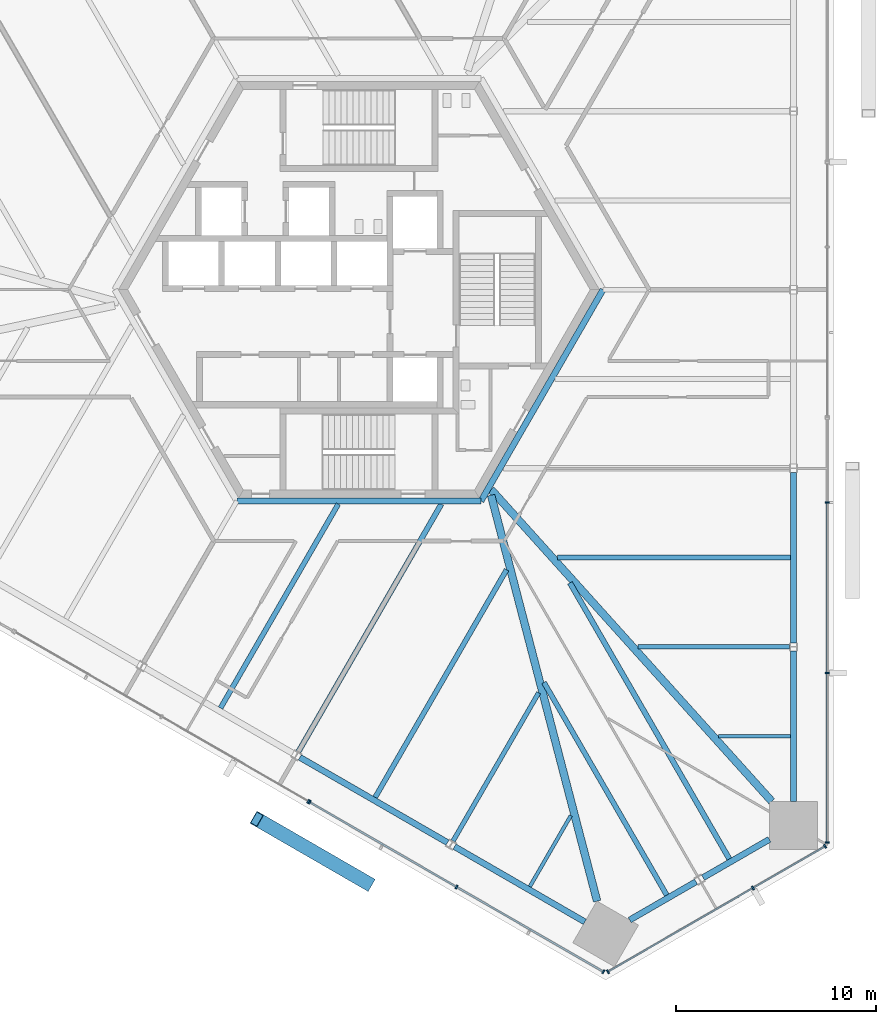
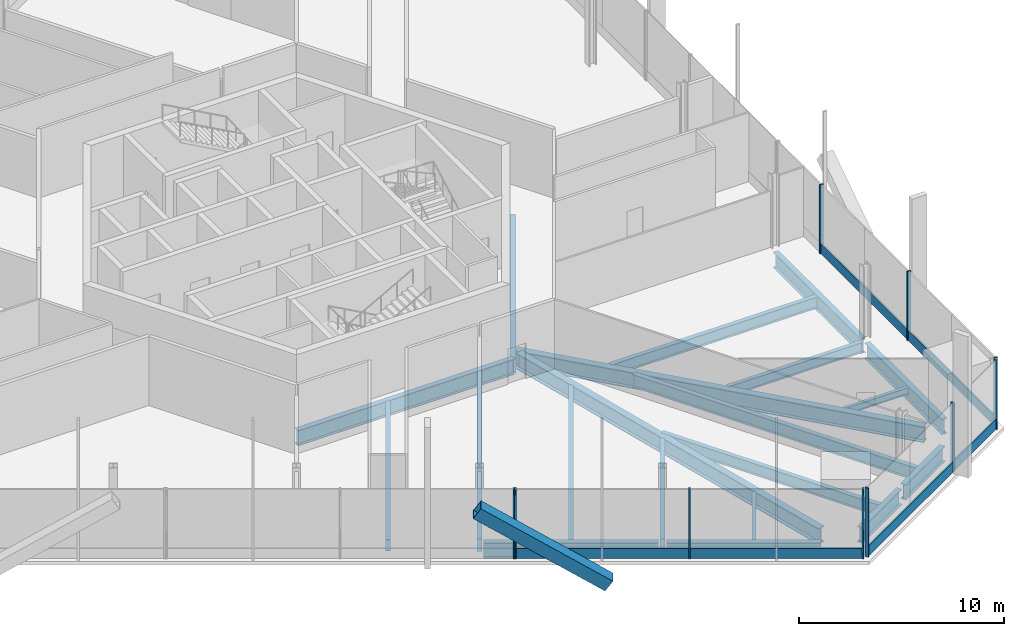
# One storey, part 4 of 19: 20 beams, 17 members, 4 elements without a shape of their own.
"""IFC4 building model written with IfcOpenShell, lengths in metres."""

from ifc_helpers import new_model, si_unit, direction, frame, origin, origin_2d, place, context, subcontext, project, spatial, rectangle, hollow_rectangle, i_section, extrude, source, transform, mapped, material, material_profile, profile_set, type_object, element, aggregate, save


model = new_model("IFC4")

# Units and contexts
model_context = context("Model", 3, precision=1e-05, world=origin(), true_north=direction((0.0, 1.0)))
body_context = subcontext(model_context, "Body", "Model", "MODEL_VIEW")
ifc_project = project(units=[si_unit("LENGTHUNIT", "METRE"), si_unit("AREAUNIT", "SQUARE_METRE"), si_unit("VOLUMEUNIT", "CUBIC_METRE"), si_unit("PLANEANGLEUNIT", "RADIAN"), si_unit("MASSUNIT", "GRAM", prefix="KILO")], contexts=[model_context])

# Site, building, storey
site_placement = place(None, origin())
site = spatial("IfcSite", under=ifc_project, at=site_placement, CompositionType="ELEMENT")
building_placement = place(site_placement, origin())
building = spatial("IfcBuilding", under=site, at=building_placement, Name="Triune Harvest Tower", CompositionType="ELEMENT")
storey_placement = place(building_placement, frame((0.0, 0.0, 24.60009765625)))
storey = spatial("IfcBuildingStorey", under=building, at=storey_placement, Name="L05", CompositionType="ELEMENT", Elevation=24.60009765625)

# Beams
ifc_material_1 = material(Name="Steel ASTM A992 Gr 50", Category="steel")
ifc_material_profile_1 = material_profile(ifc_material_1, i_section(OverallWidth=0.3046875, OverallDepth=0.914306640625, WebThickness=0.0166015625, FlangeThickness=0.02587890625, at=origin_2d()), Name="W36x160")
ifc_profile_set_1 = profile_set([ifc_material_profile_1], Name="Steel ASTM A992 Gr 50")
beam_type_1 = type_object("IfcBeamType", Name="CG-1 Core ring girder W36x160", PredefinedType="BEAM", material=ifc_profile_set_1)
shared_shape_1 = source(origin(), body_context, "Body", "SweptSolid", [
    extrude(i_section(OverallWidth=0.3046875, OverallDepth=0.914306640625, WebThickness=0.0166015625, FlangeThickness=0.02587890625, at=origin_2d()), origin(), (0.0, 0.0, 1.0), 12.176025390625),
])
beam_1_placement = place(storey_placement, frame((6.087890625, -10.544677734375, -0.6572265625), z_axis=(0.5000099932, 0.866019634131, 0.0), x_axis=(-0.866019634131, 0.5000099932, 0.0)))
element("IfcBeam", 1, at=beam_1_placement, inside=storey, type_object=beam_type_1, Name="beam/L05/CG6", PredefinedType="BEAM", context=body_context, shape_type="MappedRepresentation", body=[
    mapped(shared_shape_1, transform((0.0, 0.0, 0.0), scale=1.0)),
])
shared_shape_2 = source(origin(), body_context, "Body", "SweptSolid", [
    extrude(i_section(OverallWidth=0.3046875, OverallDepth=0.914306640625, WebThickness=0.0166015625, FlangeThickness=0.02587890625, at=origin_2d()), origin(), (0.0, 0.0, 1.0), 12.17578125),
])
beam_2_placement = place(storey_placement, frame((-6.087890625, -10.544677734375, -0.6572265625), z_axis=(1.0, 0.0, 0.0), x_axis=(0.0, 1.0, 0.0)))
element("IfcBeam", 2, at=beam_2_placement, inside=storey, type_object=beam_type_1, Name="beam/L05/CG5", PredefinedType="BEAM", context=body_context, shape_type="MappedRepresentation", body=[
    mapped(shared_shape_2, transform((0.0, 0.0, 0.0), scale=1.0)),
])
ifc_material_2 = material(Name="Steel ASTM A992 Gr 50", Category="steel")
ifc_material_profile_2 = material_profile(ifc_material_2, i_section(OverallWidth=0.383544921875, OverallDepth=0.9423828125, WebThickness=0.022216796875, FlangeThickness=0.039794921875, at=origin_2d()), Name="W36x232")
ifc_profile_set_2 = profile_set([ifc_material_profile_2], Name="Steel ASTM A992 Gr 50")
beam_type_2 = type_object("IfcBeamType", Name="HG-1 Hip girder W36x232", PredefinedType="BEAM", material=ifc_profile_set_2)
shared_shape_3 = source(origin(), body_context, "Body", "SweptSolid", [
    extrude(i_section(OverallWidth=0.383544921875, OverallDepth=0.9423828125, WebThickness=0.022216796875, FlangeThickness=0.039794921875, at=origin_2d()), origin(), (0.0, 0.0, 1.0), 20.933349609375),
])
beam_3_placement = place(storey_placement, frame((20.599365234375, -25.530029296875, -0.67138671875), z_axis=(-0.668990505388, 0.743270949049, 0.0), x_axis=(-0.743270949049, -0.668990505388, 0.0)))
element("IfcBeam", 3, at=beam_3_placement, inside=storey, type_object=beam_type_2, Name="beam/L05/HG1", PredefinedType="BEAM", context=body_context, shape_type="MappedRepresentation", body=[
    mapped(shared_shape_3, transform((0.0, 0.0, 0.0), scale=1.0)),
])
shared_shape_4 = source(origin(), body_context, "Body", "SweptSolid", [
    extrude(i_section(OverallWidth=0.383544921875, OverallDepth=0.9423828125, WebThickness=0.022216796875, FlangeThickness=0.039794921875, at=origin_2d()), origin(), (0.0, 0.0, 1.0), 20.931884765625),
])
beam_4_placement = place(storey_placement, frame((11.8828125, -30.50830078125, -0.67138671875), z_axis=(-0.252690148393, 0.967547254094, 0.0), x_axis=(-0.967547254094, -0.252690148393, 0.0)))
element("IfcBeam", 4, at=beam_4_placement, inside=storey, type_object=beam_type_2, Name="beam/L05/HG6", PredefinedType="BEAM", context=body_context, shape_type="MappedRepresentation", body=[
    mapped(shared_shape_4, transform((0.0, 0.0, 0.0), scale=1.0)),
])
ifc_material_3 = material(Name="Steel ASTM A992 Gr 50", Category="steel")
ifc_material_profile_3 = material_profile(ifc_material_3, i_section(OverallWidth=0.22900390625, OverallDepth=0.612060546875, WebThickness=0.011962890625, FlangeThickness=0.01953125, at=origin_2d()), Name="W24x84")
ifc_profile_set_3 = profile_set([ifc_material_profile_3], Name="Steel ASTM A992 Gr 50")
beam_type_3 = type_object("IfcBeamType", Name="JT-3 Floor joist W24x84", PredefinedType="JOIST", material=ifc_profile_set_3)
shared_shape_5 = source(origin(), body_context, "Body", "SweptSolid", [
    extrude(i_section(OverallWidth=0.22900390625, OverallDepth=0.612060546875, WebThickness=0.011962890625, FlangeThickness=0.01953125, at=origin_2d()), origin(), (0.0, 0.0, 1.0), 7.558349609375),
])
beam_5_placement = place(storey_placement, frame((21.476318359375, -17.820068359375, -0.506103515625), z_axis=(-1.0, 0.0, 0.0), x_axis=(0.0, -1.0, 0.0)))
element("IfcBeam", 5, at=beam_5_placement, inside=storey, type_object=beam_type_3, Name="beam/L05/JT2", PredefinedType="JOIST", context=body_context, shape_type="MappedRepresentation", body=[
    mapped(shared_shape_5, transform((0.0, 0.0, 0.0), scale=1.0)),
])
ifc_material_4 = material(Name="Steel ASTM A992 Gr 50", Category="steel")
ifc_material_profile_4 = material_profile(ifc_material_4, i_section(OverallWidth=0.2666015625, OverallDepth=0.7568359375, WebThickness=0.013916015625, FlangeThickness=0.019287109375, at=origin_2d()), Name="W30x108")
ifc_profile_set_4 = profile_set([ifc_material_profile_4], Name="Steel ASTM A992 Gr 50")
beam_type_4 = type_object("IfcBeamType", Name="JT-5 Floor joist W30x108", PredefinedType="JOIST", material=ifc_profile_set_4)
shared_shape_6 = source(origin(), body_context, "Body", "SweptSolid", [
    extrude(i_section(OverallWidth=0.2666015625, OverallDepth=0.7568359375, WebThickness=0.013916015625, FlangeThickness=0.019287109375, at=origin_2d()), origin(), (0.0, 0.0, 1.0), 14.2685546875),
])
beam_6_placement = place(storey_placement, frame((-3.02197265625, -23.053955078125, -0.57861328125), z_axis=(0.499999916269, 0.866025452127, 0.0), x_axis=(-0.866025452127, 0.499999916269, 0.0)))
element("IfcBeam", 6, at=beam_6_placement, inside=storey, type_object=beam_type_4, Name="beam/L05/JT34", PredefinedType="JOIST", context=body_context, shape_type="MappedRepresentation", body=[
    mapped(shared_shape_6, transform((0.0, 0.0, 0.0), scale=1.0)),
])
shared_shape_7 = source(origin(), body_context, "Body", "SweptSolid", [
    extrude(i_section(OverallWidth=0.22900390625, OverallDepth=0.612060546875, WebThickness=0.011962890625, FlangeThickness=0.01953125, at=origin_2d()), origin(), (0.0, 0.0, 1.0), 8.54736328125),
])
beam_7_placement = place(storey_placement, frame((4.6943359375, -27.509033203125, -0.506103515625), z_axis=(0.499994426748, 0.866028621479, 0.0), x_axis=(-0.866028621479, 0.499994426748, 0.0)))
element("IfcBeam", 7, at=beam_7_placement, inside=storey, type_object=beam_type_3, Name="beam/L05/JT36", PredefinedType="JOIST", context=body_context, shape_type="MappedRepresentation", body=[
    mapped(shared_shape_7, transform((0.0, 0.0, 0.0), scale=1.0)),
])
ifc_material_5 = material(Name="Steel ASTM A992 Gr 50", Category="steel")
ifc_material_profile_5 = material_profile(ifc_material_5, i_section(OverallWidth=0.3046875, OverallDepth=0.914306640625, WebThickness=0.0166015625, FlangeThickness=0.02587890625, at=origin_2d()), Name="W36x160")
ifc_profile_set_5 = profile_set([ifc_material_profile_5], Name="Steel ASTM A992 Gr 50")
beam_type_5 = type_object("IfcBeamType", Name="SB-1 Spandrel beam W36x160", PredefinedType="SPANDREL", material=ifc_profile_set_5)
shared_shape_8 = source(origin(), body_context, "Body", "SweptSolid", [
    extrude(i_section(OverallWidth=0.3046875, OverallDepth=0.914306640625, WebThickness=0.0166015625, FlangeThickness=0.02587890625, at=origin_2d()), origin(), (0.0, 0.0, 1.0), 7.508056640625),
])
beam_8_placement = place(storey_placement, frame((21.679443359375, -25.530029296875, -0.6572265625), z_axis=(0.0, 1.0, 0.0), x_axis=(-1.0, 0.0, 0.0)))
element("IfcBeam", 8, at=beam_8_placement, inside=storey, type_object=beam_type_5, Name="beam/L05/SB1", PredefinedType="SPANDREL", context=body_context, shape_type="MappedRepresentation", body=[
    mapped(shared_shape_8, transform((0.0, 0.0, 0.0), scale=1.0)),
])
shared_shape_9 = source(origin(), body_context, "Body", "SweptSolid", [
    extrude(i_section(OverallWidth=0.3046875, OverallDepth=0.914306640625, WebThickness=0.0166015625, FlangeThickness=0.02587890625, at=origin_2d()), origin(), (0.0, 0.0, 1.0), 8.50634765625),
])
beam_9_placement = place(storey_placement, frame((21.679443359375, -17.6181640625, -0.6572265625), z_axis=(0.0, 1.0, 0.0), x_axis=(-1.0, 0.0, 0.0)))
element("IfcBeam", 9, at=beam_9_placement, inside=storey, type_object=beam_type_5, Name="beam/L05/SB2", PredefinedType="SPANDREL", context=body_context, shape_type="MappedRepresentation", body=[
    mapped(shared_shape_9, transform((0.0, 0.0, 0.0), scale=1.0)),
])
shared_shape_10 = source(origin(), body_context, "Body", "SweptSolid", [
    extrude(i_section(OverallWidth=0.3046875, OverallDepth=0.914306640625, WebThickness=0.0166015625, FlangeThickness=0.02587890625, at=origin_2d()), origin(), (0.0, 0.0, 1.0), 8.506103515625),
])
beam_10_placement = place(storey_placement, frame((-2.948486328125, -23.3310546875, -0.6572265625), z_axis=(0.866030246746, -0.49999161165, 0.0), x_axis=(0.49999161165, 0.866030246746, 0.0)))
element("IfcBeam", 10, at=beam_10_placement, inside=storey, type_object=beam_type_5, Name="beam/L05/SB21", PredefinedType="SPANDREL", context=body_context, shape_type="MappedRepresentation", body=[
    mapped(shared_shape_10, transform((0.0, 0.0, 0.0), scale=1.0)),
])
shared_shape_11 = source(origin(), body_context, "Body", "SweptSolid", [
    extrude(i_section(OverallWidth=0.3046875, OverallDepth=0.914306640625, WebThickness=0.0166015625, FlangeThickness=0.02587890625, at=origin_2d()), origin(), (0.0, 0.0, 1.0), 3.822265625),
])
beam_11_placement = place(storey_placement, frame((17.169189453125, -29.333984375, -0.6572265625), z_axis=(0.866033487859, 0.499985997711, 0.0), x_axis=(-0.499985997711, 0.866033487859, 0.0)))
element("IfcBeam", 11, at=beam_11_placement, inside=storey, type_object=beam_type_5, Name="beam/L05/SB24", PredefinedType="SPANDREL", context=body_context, shape_type="MappedRepresentation", body=[
    mapped(shared_shape_11, transform((0.0, 0.0, 0.0), scale=1.0)),
])
shared_shape_12 = source(origin(), body_context, "Body", "SweptSolid", [
    extrude(i_section(OverallWidth=0.3046875, OverallDepth=0.914306640625, WebThickness=0.0166015625, FlangeThickness=0.02587890625, at=origin_2d()), origin(), (0.0, 0.0, 1.0), 3.822509765625),
])
beam_12_placement = place(storey_placement, frame((13.509033203125, -31.447265625, -0.6572265625), z_axis=(0.866005830769, 0.500033899925, 0.0), x_axis=(-0.500033899925, 0.866005830769, 0.0)))
element("IfcBeam", 12, at=beam_12_placement, inside=storey, type_object=beam_type_5, Name="beam/L05/SB23", PredefinedType="SPANDREL", context=body_context, shape_type="MappedRepresentation", body=[
    mapped(shared_shape_12, transform((0.0, 0.0, 0.0), scale=1.0)),
])
shared_shape_13 = source(origin(), body_context, "Body", "SweptSolid", [
    extrude(i_section(OverallWidth=0.3046875, OverallDepth=0.914306640625, WebThickness=0.0166015625, FlangeThickness=0.02587890625, at=origin_2d()), origin(), (0.0, 0.0, 1.0), 7.50830078125),
])
beam_13_placement = place(storey_placement, frame((4.767578125, -27.785888671875, -0.6572265625), z_axis=(0.866027474485, -0.499996413425, 0.0), x_axis=(0.499996413425, 0.866027474485, 0.0)))
element("IfcBeam", 13, at=beam_13_placement, inside=storey, type_object=beam_type_5, Name="beam/L05/SB22", PredefinedType="SPANDREL", context=body_context, shape_type="MappedRepresentation", body=[
    mapped(shared_shape_13, transform((0.0, 0.0, 0.0), scale=1.0)),
])
ifc_material_6 = material(Name="Steel ASTM A992 Gr 50", Category="steel")
ifc_material_profile_6 = material_profile(ifc_material_6, i_section(OverallWidth=0.180908203125, OverallDepth=0.41650390625, WebThickness=0.010986328125, FlangeThickness=0.01806640625, at=origin_2d()), Name="W16x57")
ifc_profile_set_6 = profile_set([ifc_material_profile_6], Name="Steel ASTM A992 Gr 50")
beam_type_6 = type_object("IfcBeamType", Name="JT-1 Floor joist W16x57", PredefinedType="JOIST", material=ifc_profile_set_6)
shared_shape_14 = source(origin(), body_context, "Body", "SweptSolid", [
    extrude(i_section(OverallWidth=0.180908203125, OverallDepth=0.41650390625, WebThickness=0.010986328125, FlangeThickness=0.01806640625, at=origin_2d()), origin(), (0.0, 0.0, 1.0), 3.599365234375),
])
beam_14_placement = place(storey_placement, frame((21.527099609375, -22.27490234375, -0.408447265625), z_axis=(-1.0, 0.0, 0.0), x_axis=(0.0, -1.0, 0.0)))
element("IfcBeam", 14, at=beam_14_placement, inside=storey, type_object=beam_type_6, Name="beam/L05/JT1", PredefinedType="JOIST", context=body_context, shape_type="MappedRepresentation", body=[
    mapped(shared_shape_14, transform((0.0, 0.0, 0.0), scale=1.0)),
])
ifc_material_7 = material(Name="Steel ASTM A992 Gr 50", Category="steel")
ifc_material_profile_7 = material_profile(ifc_material_7, i_section(OverallWidth=0.253662109375, OverallDepth=0.683349609375, WebThickness=0.012451171875, FlangeThickness=0.01904296875, at=origin_2d()), Name="W27x94")
ifc_profile_set_7 = profile_set([ifc_material_profile_7], Name="Steel ASTM A992 Gr 50")
beam_type_7 = type_object("IfcBeamType", Name="JT-4 Floor joist W27x94", PredefinedType="JOIST", material=ifc_profile_set_7)
shared_shape_15 = source(origin(), body_context, "Body", "SweptSolid", [
    extrude(i_section(OverallWidth=0.253662109375, OverallDepth=0.683349609375, WebThickness=0.012451171875, FlangeThickness=0.01904296875, at=origin_2d()), origin(), (0.0, 0.0, 1.0), 11.619140625),
])
beam_15_placement = place(storey_placement, frame((21.527099609375, -13.364990234375, -0.541748046875), z_axis=(-1.0, 0.0, 0.0), x_axis=(0.0, -1.0, 0.0)))
element("IfcBeam", 15, at=beam_15_placement, inside=storey, type_object=beam_type_7, Name="beam/L05/JT3", PredefinedType="JOIST", context=body_context, shape_type="MappedRepresentation", body=[
    mapped(shared_shape_15, transform((0.0, 0.0, 0.0), scale=1.0)),
])
shared_shape_16 = source(origin(), body_context, "Body", "SweptSolid", [
    extrude(i_section(OverallWidth=0.253662109375, OverallDepth=0.683349609375, WebThickness=0.012451171875, FlangeThickness=0.01904296875, at=origin_2d()), origin(), (0.0, 0.0, 1.0), 13.110107421875),
])
beam_16_placement = place(storey_placement, frame((0.810791015625, -25.325439453125, -0.541748046875), z_axis=(0.500012613137, 0.866018121464, 0.0), x_axis=(-0.866018121464, 0.500012613137, 0.0)))
element("IfcBeam", 16, at=beam_16_placement, inside=storey, type_object=beam_type_7, Name="beam/L05/JT35", PredefinedType="JOIST", context=body_context, shape_type="MappedRepresentation", body=[
    mapped(shared_shape_16, transform((0.0, 0.0, 0.0), scale=1.0)),
])
shared_shape_17 = source(origin(), body_context, "Body", "SweptSolid", [
    extrude(i_section(OverallWidth=0.180908203125, OverallDepth=0.41650390625, WebThickness=0.010986328125, FlangeThickness=0.01806640625, at=origin_2d()), origin(), (0.0, 0.0, 1.0), 4.08642578125),
])
beam_17_placement = place(storey_placement, frame((8.527099609375, -29.780517578125, -0.408447265625), z_axis=(0.500013794443, 0.866017439413, 0.0), x_axis=(-0.866017439413, 0.500013794443, 0.0)))
element("IfcBeam", 17, at=beam_17_placement, inside=storey, type_object=beam_type_6, Name="beam/L05/JT37", PredefinedType="JOIST", context=body_context, shape_type="MappedRepresentation", body=[
    mapped(shared_shape_17, transform((0.0, 0.0, 0.0), scale=1.0)),
])
shared_shape_18 = source(origin(), body_context, "Body", "SweptSolid", [
    extrude(i_section(OverallWidth=0.253662109375, OverallDepth=0.683349609375, WebThickness=0.012451171875, FlangeThickness=0.01904296875, at=origin_2d()), origin(), (0.0, 0.0, 1.0), 12.2509765625),
])
beam_18_placement = place(storey_placement, frame((15.3564453125, -30.20458984375, -0.541748046875), z_axis=(-0.500001335473, 0.866024632748, 0.0), x_axis=(-0.866024632748, -0.500001335473, 0.0)))
element("IfcBeam", 18, at=beam_18_placement, inside=storey, type_object=beam_type_7, Name="beam/L05/JT38", PredefinedType="JOIST", context=body_context, shape_type="MappedRepresentation", body=[
    mapped(shared_shape_18, transform((0.0, 0.0, 0.0), scale=1.0)),
])
shared_shape_19 = source(origin(), body_context, "Body", "SweptSolid", [
    extrude(i_section(OverallWidth=0.2666015625, OverallDepth=0.7568359375, WebThickness=0.013916015625, FlangeThickness=0.019287109375, at=origin_2d()), origin(), (0.0, 0.0, 1.0), 15.90771484375),
])
beam_19_placement = place(storey_placement, frame((18.479736328125, -28.4013671875, -0.57861328125), z_axis=(-0.499996565981, 0.866027386407, 0.0), x_axis=(-0.866027386407, -0.499996565981, 0.0)))
element("IfcBeam", 19, at=beam_19_placement, inside=storey, type_object=beam_type_4, Name="beam/L05/JT39", PredefinedType="JOIST", context=body_context, shape_type="MappedRepresentation", body=[
    mapped(shared_shape_19, transform((0.0, 0.0, 0.0), scale=1.0)),
])
shared_shape_20 = source(origin(), body_context, "Body", "SweptSolid", [
    extrude(i_section(OverallWidth=0.253662109375, OverallDepth=0.683349609375, WebThickness=0.012451171875, FlangeThickness=0.01904296875, at=origin_2d()), origin(), (0.0, 0.0, 1.0), 11.74755859375),
])
beam_20_placement = place(storey_placement, frame((-6.905517578125, -20.87060546875, -0.541748046875), z_axis=(0.500003693016, 0.86602327161, 0.0), x_axis=(-0.86602327161, 0.500003693016, 0.0)))
element("IfcBeam", 20, at=beam_20_placement, inside=storey, type_object=beam_type_7, Name="beam/L05/JT33", PredefinedType="JOIST", context=body_context, shape_type="MappedRepresentation", body=[
    mapped(shared_shape_20, transform((0.0, 0.0, 0.0), scale=1.0)),
])

# Member
ifc_material_8 = material(Name="Steel ASTM A572 Gr 50", Category="steel")
ifc_material_profile_8 = material_profile(ifc_material_8, hollow_rectangle(XDim=0.699951171875, YDim=0.699951171875, WallThickness=0.0400390625, at=origin_2d()), Name="Box 700x700x40")
ifc_profile_set_8 = profile_set([ifc_material_profile_8], Name="Steel ASTM A572 Gr 50")
member_type_1 = type_object("IfcMemberType", Name="BR-1 Brace Box 700x700x40", PredefinedType="BRACE", material=ifc_profile_set_8)
shared_shape_21 = source(origin(), body_context, "Body", "SweptSolid", [
    extrude(hollow_rectangle(XDim=0.699951171875, YDim=0.699951171875, WallThickness=0.0400390625, at=origin_2d()), origin(), (0.0, 0.0, 1.0), 7.728515625),
])
member_1_placement = place(storey_placement, frame((0.46630859375, -29.623291015625, 0.0), z_axis=(-0.719616664562, 0.41546963882, 0.556360346631), x_axis=(-0.499998884236, -0.86602604797, 0.0)))
element("IfcMember", 21, at=member_1_placement, inside=storey, type_object=member_type_1, Name="brace/B1-F5/d2/3", PredefinedType="BRACE", context=body_context, shape_type="MappedRepresentation", body=[
    mapped(shared_shape_21, transform((0.0, 0.0, 0.0), scale=1.0)),
])

# Curtain wall, members
ifc_material_9 = material(Name="Aluminium bronze anodised", Category="aluminium")
curtain_wall_type_1 = type_object("IfcCurtainWallType", Name="CW-3 Farm floor curtain wall", PredefinedType="NOTDEFINED", material=ifc_material_9)
curtain_wall_1_placement = place(storey_placement, origin())
curtain_wall_1 = element("IfcCurtainWall", 22, at=curtain_wall_1_placement, inside=storey, type_object=curtain_wall_type_1, Name="CW-3 B1-F6 L05 run 1")
ifc_material_10 = material(Name="Aluminium bronze anodised", Category="aluminium")
ifc_material_profile_9 = material_profile(ifc_material_10, rectangle(XDim=0.090087890625, YDim=0.60009765625, at=origin_2d()), Name="TR-3 transom 90 x 600")
ifc_profile_set_9 = profile_set([ifc_material_profile_9], Name="Aluminium bronze anodised")
member_type_2 = type_object("IfcMemberType", Name="TR-3 transom 90 x 600", PredefinedType="USERDEFINED", material=ifc_profile_set_9)
shared_shape_22 = source(origin(), body_context, "Body", "SweptSolid", [
    extrude(rectangle(XDim=0.090087890625, YDim=0.60009765625, at=origin_2d()), origin(), (0.0, 0.0, 1.0), 4.077880859375),
])
member_2_placement = place(storey_placement, frame((19.692626953125, -29.830810546875, 0.2998046875), z_axis=(0.86600911372, 0.500028214158, 0.0), x_axis=(-0.500028214158, 0.86600911372, 0.0)))
member_2 = element("IfcMember", 23, at=member_2_placement, type_object=member_type_2, Name="CW-3 transom B1-F6 1.2", ObjectType="TRANSOM", PredefinedType="USERDEFINED", context=body_context, shape_type="MappedRepresentation", body=[
    mapped(shared_shape_22, transform((0.0, 0.0, 0.0), scale=1.0)),
])
shared_shape_23 = source(origin(), body_context, "Body", "SweptSolid", [
    extrude(rectangle(XDim=0.090087890625, YDim=0.60009765625, at=origin_2d()), origin(), (0.0, 0.0, 1.0), 8.275634765625),
])
member_3_placement = place(storey_placement, frame((12.456298828125, -34.008544921875, 0.2998046875), z_axis=(0.866034275465, 0.499984633485, 0.0), x_axis=(-0.499984633485, 0.866034275465, 0.0)))
member_3 = element("IfcMember", 24, at=member_3_placement, type_object=member_type_2, Name="CW-3 transom B1-F6 1.1", ObjectType="TRANSOM", PredefinedType="USERDEFINED", context=body_context, shape_type="MappedRepresentation", body=[
    mapped(shared_shape_23, transform((0.0, 0.0, 0.0), scale=1.0)),
])

ifc_material_11 = material(Name="Aluminium bronze anodised", Category="aluminium")
curtain_wall_type_2 = type_object("IfcCurtainWallType", Name="CW-8 Farm floor curtain wall with insulated spandrel infill", PredefinedType="NOTDEFINED", material=ifc_material_11)
curtain_wall_2_placement = place(storey_placement, origin())
curtain_wall_2 = element("IfcCurtainWall", 25, at=curtain_wall_2_placement, inside=storey, type_object=curtain_wall_type_2, Name="CW-8 B1-F1 L05 run 1")
ifc_material_12 = material(Name="Aluminium bronze anodised", Category="aluminium")
ifc_material_profile_10 = material_profile(ifc_material_12, rectangle(XDim=0.199951171875, YDim=0.080078125, at=origin_2d()), Name="MU-3 mullion 80 x 200")
ifc_profile_set_10 = profile_set([ifc_material_profile_10], Name="Aluminium bronze anodised")
member_type_3 = type_object("IfcMemberType", Name="MU-3 mullion 80 x 200", PredefinedType="MULLION", material=ifc_profile_set_10)
shared_shape_24 = source(origin(), body_context, "Body", "SweptSolid", [
    extrude(rectangle(XDim=0.199951171875, YDim=0.080078125, at=origin_2d()), origin(), (0.0, 0.0, 1.0), 4.099853515625),
])
member_4_placement = place(storey_placement, frame((23.371337890625, -27.576904296875, 0.0), z_axis=(0.0, 0.0, 1.0), x_axis=(-1.0, 0.0, 0.0)))
member_4 = element("IfcMember", 26, at=member_4_placement, type_object=member_type_3, Name="CW-8 mullion B1-F1 1.1", PredefinedType="MULLION", context=body_context, shape_type="MappedRepresentation", body=[
    mapped(shared_shape_24, transform((0.0, 0.0, 0.0), scale=1.0)),
])
member_5_placement = place(storey_placement, frame((23.371337890625, -19.119384765625, 0.0), z_axis=(0.0, 0.0, 1.0), x_axis=(-1.0, 0.0, 0.0)))
member_5 = element("IfcMember", 27, at=member_5_placement, type_object=member_type_3, Name="CW-8 mullion B1-F1 1.3", PredefinedType="MULLION", context=body_context, shape_type="MappedRepresentation", body=[
    mapped(shared_shape_24, transform((0.0, 0.0, 0.0), scale=1.0)),
])
member_6_placement = place(storey_placement, frame((23.371337890625, -10.621826171875, 0.0), z_axis=(0.0, 0.0, 1.0), x_axis=(-1.0, 0.0, 0.0)))
member_6 = element("IfcMember", 28, at=member_6_placement, type_object=member_type_3, Name="CW-8 mullion B1-F1 1.5", PredefinedType="MULLION", context=body_context, shape_type="MappedRepresentation", body=[
    mapped(shared_shape_24, transform((0.0, 0.0, 0.0), scale=1.0)),
])

# Curtain wall, member
curtain_wall_3_placement = place(storey_placement, origin())
curtain_wall_3 = element("IfcCurtainWall", 29, at=curtain_wall_3_placement, inside=storey, type_object=curtain_wall_type_1, Name="CW-3 B1-F5 L05 run 1001")
member_7_placement = place(storey_placement, frame((-2.521484375, -25.531005859375, 0.0), z_axis=(0.0, 0.0, 1.0), x_axis=(0.500000044272, 0.866025378224, 0.0)))
member_7 = element("IfcMember", 30, at=member_7_placement, type_object=member_type_3, Name="CW-3 mullion B1-F5 1001.5", PredefinedType="MULLION", context=body_context, shape_type="MappedRepresentation", body=[
    mapped(shared_shape_24, transform((0.0, 0.0, 0.0), scale=1.0)),
])
aggregate(curtain_wall_3, [member_7])

# Curtain wall, members
curtain_wall_4_placement = place(storey_placement, origin())
curtain_wall_4 = element("IfcCurtainWall", 31, at=curtain_wall_4_placement, inside=storey, type_object=curtain_wall_type_2, Name="CW-8 B1-F5 L05 run 2001")
member_8_placement = place(storey_placement, frame((-2.4521484375, -25.571044921875, 0.0), z_axis=(0.0, 0.0, 1.0), x_axis=(0.500001122288, 0.86602475583, 0.0)))
member_8 = element("IfcMember", 32, at=member_8_placement, type_object=member_type_3, Name="CW-8 mullion B1-F5 2001.1", PredefinedType="MULLION", context=body_context, shape_type="MappedRepresentation", body=[
    mapped(shared_shape_24, transform((0.0, 0.0, 0.0), scale=1.0)),
])
member_9_placement = place(storey_placement, frame((4.8720703125, -29.7998046875, 0.0), z_axis=(0.0, 0.0, 1.0), x_axis=(0.500001122288, 0.86602475583, 0.0)))
member_9 = element("IfcMember", 33, at=member_9_placement, type_object=member_type_3, Name="CW-8 mullion B1-F5 2001.3", PredefinedType="MULLION", context=body_context, shape_type="MappedRepresentation", body=[
    mapped(shared_shape_24, transform((0.0, 0.0, 0.0), scale=1.0)),
])
member_10_placement = place(storey_placement, frame((12.196533203125, -34.028564453125, 0.0), z_axis=(0.0, 0.0, 1.0), x_axis=(0.500001122288, 0.86602475583, 0.0)))
member_10 = element("IfcMember", 34, at=member_10_placement, type_object=member_type_3, Name="CW-8 mullion B1-F5 2001.5", PredefinedType="MULLION", context=body_context, shape_type="MappedRepresentation", body=[
    mapped(shared_shape_24, transform((0.0, 0.0, 0.0), scale=1.0)),
])

# Member
member_11_placement = place(storey_placement, frame((12.421630859375, -34.028564453125, 0.0), z_axis=(0.0, 0.0, 1.0), x_axis=(-0.499998715149, 0.866026145592, 0.0)))
member_11 = element("IfcMember", 35, at=member_11_placement, type_object=member_type_3, Name="CW-3 mullion B1-F6 1.1", PredefinedType="MULLION", context=body_context, shape_type="MappedRepresentation", body=[
    mapped(shared_shape_24, transform((0.0, 0.0, 0.0), scale=1.0)),
])

member_12_placement = place(storey_placement, frame((19.657958984375, -29.850830078125, 0.0), z_axis=(0.0, 0.0, 1.0), x_axis=(-0.499998715149, 0.866026145592, 0.0)))
member_12 = element("IfcMember", 36, at=member_12_placement, type_object=member_type_3, Name="CW-3 mullion B1-F6 1.3", PredefinedType="MULLION", context=body_context, shape_type="MappedRepresentation", body=[
    mapped(shared_shape_24, transform((0.0, 0.0, 0.0), scale=1.0)),
])

member_13_placement = place(storey_placement, frame((23.2587890625, -27.771728515625, 0.0), z_axis=(0.0, 0.0, 1.0), x_axis=(-0.499998715149, 0.866026145592, 0.0)))
member_13 = element("IfcMember", 37, at=member_13_placement, type_object=member_type_3, Name="CW-3 mullion B1-F6 1.4", PredefinedType="MULLION", context=body_context, shape_type="MappedRepresentation", body=[
    mapped(shared_shape_24, transform((0.0, 0.0, 0.0), scale=1.0)),
])

aggregate(curtain_wall_1, [member_11, member_12, member_13, member_3, member_2])

shared_shape_25 = source(origin(), body_context, "Body", "SweptSolid", [
    extrude(rectangle(XDim=0.090087890625, YDim=0.60009765625, at=origin_2d()), origin(), (0.0, 0.0, 1.0), 8.37744140625),
])
member_14_placement = place(storey_placement, frame((23.371337890625, -27.536865234375, 0.2998046875), z_axis=(0.0, 1.0, 0.0), x_axis=(-1.0, 0.0, 0.0)))
member_14 = element("IfcMember", 38, at=member_14_placement, type_object=member_type_2, Name="CW-8 transom B1-F1 1.1", ObjectType="TRANSOM", PredefinedType="USERDEFINED", context=body_context, shape_type="MappedRepresentation", body=[
    mapped(shared_shape_25, transform((0.0, 0.0, 0.0), scale=1.0)),
])

member_15_placement = place(storey_placement, frame((-2.417724609375, -25.591064453125, 0.2998046875), z_axis=(0.866026892193, -0.499997421992, 0.0), x_axis=(0.499997421992, 0.866026892193, 0.0)))
member_15 = element("IfcMember", 39, at=member_15_placement, type_object=member_type_2, Name="CW-8 transom B1-F5 2001.1", ObjectType="TRANSOM", PredefinedType="USERDEFINED", context=body_context, shape_type="MappedRepresentation", body=[
    mapped(shared_shape_25, transform((0.0, 0.0, 0.0), scale=1.0)),
])

member_16_placement = place(storey_placement, frame((4.90673828125, -29.81982421875, 0.2998046875), z_axis=(0.866026892193, -0.499997421992, 0.0), x_axis=(0.499997421992, 0.866026892193, 0.0)))
member_16 = element("IfcMember", 40, at=member_16_placement, type_object=member_type_2, Name="CW-8 transom B1-F5 2001.2", ObjectType="TRANSOM", PredefinedType="USERDEFINED", context=body_context, shape_type="MappedRepresentation", body=[
    mapped(shared_shape_25, transform((0.0, 0.0, 0.0), scale=1.0)),
])

aggregate(curtain_wall_4, [member_8, member_9, member_10, member_15, member_16])

shared_shape_26 = source(origin(), body_context, "Body", "SweptSolid", [
    extrude(rectangle(XDim=0.090087890625, YDim=0.60009765625, at=origin_2d()), origin(), (0.0, 0.0, 1.0), 8.41748046875),
])
member_17_placement = place(storey_placement, frame((23.371337890625, -19.079345703125, 0.2998046875), z_axis=(0.0, 1.0, 0.0), x_axis=(-1.0, 0.0, 0.0)))
member_17 = element("IfcMember", 41, at=member_17_placement, type_object=member_type_2, Name="CW-8 transom B1-F1 1.2", ObjectType="TRANSOM", PredefinedType="USERDEFINED", context=body_context, shape_type="MappedRepresentation", body=[
    mapped(shared_shape_26, transform((0.0, 0.0, 0.0), scale=1.0)),
])

aggregate(curtain_wall_2, [member_4, member_5, member_6, member_14, member_17])

save(model, "model.ifc")
